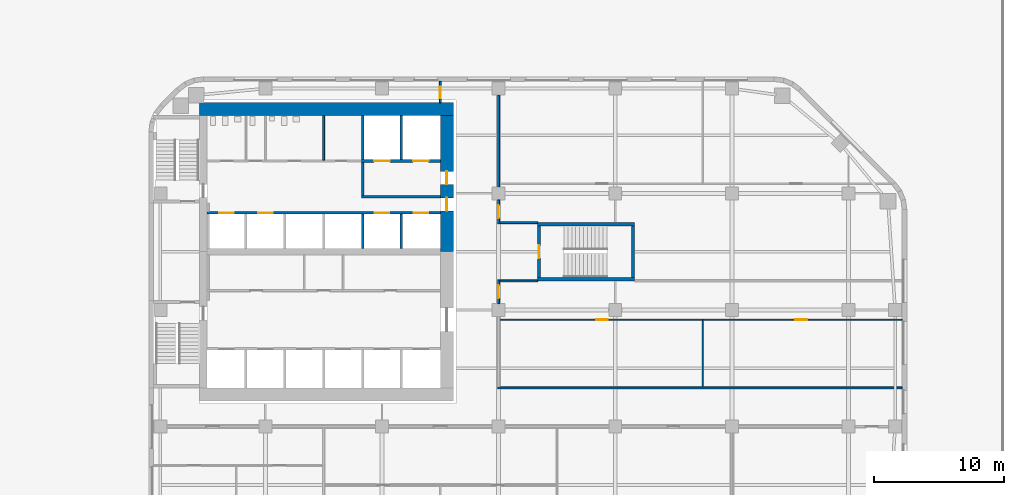
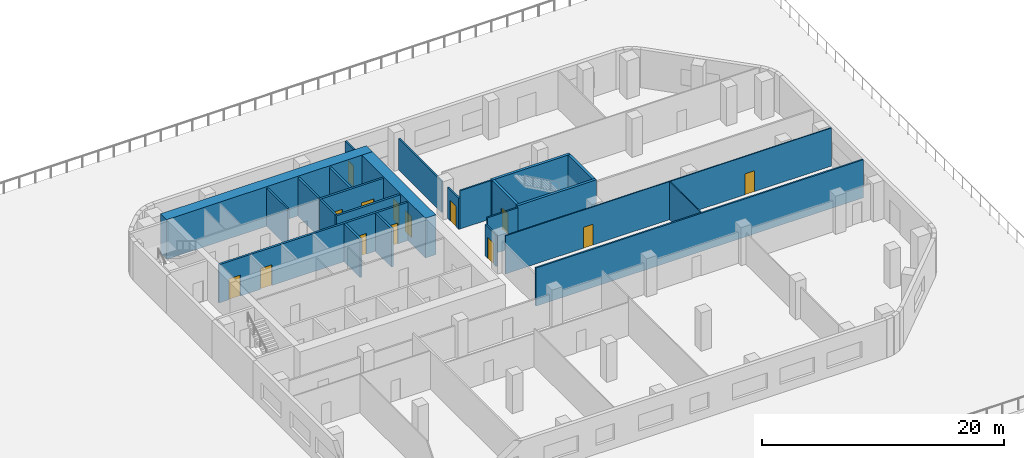
# One storey, part 11 of 18: 24 walls, 14 doors, 14 openings.
"""IFC4 building model written with IfcOpenShell, lengths in metres."""

from ifc_helpers import new_model, si_unit, direction, frame, frame_2d, origin, place, context, subcontext, project, spatial, rectangle, extrude, material, layer, layer_set, type_object, element, fill, save


model = new_model("IFC4")

# Units and contexts
model_context = context("Model", 3, precision=1e-05, world=origin(), true_north=direction((0.0, 1.0)))
body_context = subcontext(model_context, "Body", "Model", "MODEL_VIEW")
ifc_project = project(units=[si_unit("LENGTHUNIT", "METRE"), si_unit("AREAUNIT", "SQUARE_METRE"), si_unit("VOLUMEUNIT", "CUBIC_METRE"), si_unit("PLANEANGLEUNIT", "RADIAN"), si_unit("MASSUNIT", "GRAM", prefix="KILO")], contexts=[model_context])

# Site, building, storey
site_placement = place(None, origin())
site = spatial("IfcSite", under=ifc_project, at=site_placement, CompositionType="ELEMENT")
building_placement = place(site_placement, origin())
building = spatial("IfcBuilding", under=site, at=building_placement, Name="Cinnabar Reach Civic Tower", CompositionType="ELEMENT")
storey_placement = place(building_placement, frame((0.0, 0.0, 26.0)))
storey = spatial("IfcBuildingStorey", under=building, at=storey_placement, Name="L05", CompositionType="ELEMENT", Elevation=26.0)

# Wall
ifc_material_1 = material(Name="Concrete C70", Category="concrete")
ifc_layer_1 = layer(ifc_material_1, 1.0)
ifc_layer_set_1 = layer_set([ifc_layer_1], Name="Core wall 1000 EI 180")
wall_type_1 = type_object("IfcWallType", Name="Core wall 1000 EI 180", PredefinedType="SOLIDWALL", material=ifc_layer_set_1)
wall_1_placement = place(storey_placement, frame((23.5, 42.5, 0.0), z_axis=(0.0, 0.0, 1.0), x_axis=(-1.0, 0.0, 0.0)))
element("IfcWall", 1, at=wall_1_placement, inside=storey, type_object=wall_type_1, Name="Core wall T1 L05 N", PredefinedType="SOLIDWALL", context=body_context, shape_type="SweptSolid", body=[
    extrude(rectangle(XDim=19.6, YDim=1.0, at=frame_2d((9.8, 0.0))), origin(), (0.0, 0.0, 1.0), 4.0),
])

# Wall, openings, doors
wall_2_placement = place(storey_placement, frame((23.0, 31.5, 0.0), z_axis=(0.0, 0.0, 1.0), x_axis=(0.0, 1.0, 0.0)))
wall_2 = element("IfcWall", 2, at=wall_2_placement, inside=storey, type_object=wall_type_1, Name="Core wall T1 L05 E2", PredefinedType="SOLIDWALL", context=body_context, shape_type="SweptSolid", body=[
    extrude(rectangle(XDim=10.5, YDim=1.0, at=frame_2d((5.25, 0.0))), origin(), (0.0, 0.0, 1.0), 4.0),
])
opening_1_placement = place(wall_2_placement, frame((3.15, 0.0, 0.0)))
opening_1 = element("IfcOpeningElement", 3, at=opening_1_placement, cuts=wall_2, Name="Opening D3207", PredefinedType="OPENING", context=body_context, shape_type="SweptSolid", body=[
    extrude(rectangle(XDim=1.0, YDim=2.1, at=frame_2d((0.5, 1.05))), frame((0.0, 0.51, 0.0), z_axis=(0.0, -1.0, 0.0), x_axis=(1.0, 0.0, 0.0)), (0.0, 0.0, 1.0), 1.02),
])
opening_2_placement = place(wall_2_placement, frame((5.2, 0.0, 0.0)))
opening_2 = element("IfcOpeningElement", 4, at=opening_2_placement, cuts=wall_2, Name="Opening D3208", PredefinedType="OPENING", context=body_context, shape_type="SweptSolid", body=[
    extrude(rectangle(XDim=1.0, YDim=2.1, at=frame_2d((0.5, 1.05))), frame((0.0, 0.51, 0.0), z_axis=(0.0, -1.0, 0.0), x_axis=(1.0, 0.0, 0.0)), (0.0, 0.0, 1.0), 1.02),
])
ifc_material_2 = material(Name="Timber door leaf in steel frame", Category="steel")
door_type_1 = type_object("IfcDoorType", Name="Firefighting lobby door 1000 x 2100 T1", OperationType="SINGLE_SWING_LEFT", PredefinedType="DOOR", material=ifc_material_2)
door_1_placement = place(opening_2_placement, origin())
door_1 = element("IfcDoor", 5, at=door_1_placement, inside=storey, type_object=door_type_1, Name="Door D3208", OperationType="SINGLE_SWING_LEFT", OverallHeight=2.1, OverallWidth=1.0, PredefinedType="DOOR", context=body_context, shape_type="SweptSolid", body=[
    extrude(rectangle(XDim=1.0, YDim=2.1, at=frame_2d((0.5, 1.05))), frame((0.0, 0.025, 0.0), z_axis=(0.0, -1.0, 0.0), x_axis=(1.0, 0.0, 0.0)), (0.0, 0.0, 1.0), 0.05),
])
fill(opening_2, door_1)
door_type_2 = type_object("IfcDoorType", Name="Single swing door 1000 x 2100 T1", OperationType="SINGLE_SWING_LEFT", PredefinedType="DOOR", material=ifc_material_2)
door_2_placement = place(opening_1_placement, origin())
door_2 = element("IfcDoor", 6, at=door_2_placement, inside=storey, type_object=door_type_2, Name="Door D3207", OperationType="SINGLE_SWING_RIGHT", OverallHeight=2.1, OverallWidth=1.0, PredefinedType="DOOR", context=body_context, shape_type="SweptSolid", body=[
    extrude(rectangle(XDim=1.0, YDim=2.1, at=frame_2d((0.5, 1.05))), frame((0.0, 0.025, 0.0), z_axis=(0.0, -1.0, 0.0), x_axis=(1.0, 0.0, 0.0)), (0.0, 0.0, 1.0), 0.05),
])
fill(opening_1, door_2)

# Wall
ifc_material_3 = material(Name="Gypsum board on steel studs, double layer", Category="steel")
ifc_layer_2 = layer(ifc_material_3, 0.15)
ifc_layer_set_2 = layer_set([ifc_layer_2], Name="Corridor wall 150 T1")
wall_type_2 = type_object("IfcWallType", Name="Corridor wall 150 T1", PredefinedType="PARTITIONING", material=ifc_layer_set_2)
wall_3_placement = place(storey_placement, frame((26.925, 21.0, 0.0), z_axis=(0.0, 0.0, 1.0), x_axis=(1.0, 0.0, 0.0)))
element("IfcWall", 7, at=wall_3_placement, inside=storey, type_object=wall_type_2, Name="Corridor wall 26", PredefinedType="PARTITIONING", context=body_context, shape_type="SweptSolid", body=[
    extrude(rectangle(XDim=31.215, YDim=0.15, at=frame_2d((15.6075, 0.0))), origin(), (0.0, 0.0, 1.0), 3.85),
])

# Wall, opening, door
wall_4_placement = place(storey_placement, frame((27.0, 33.675, 0.0), z_axis=(0.0, 0.0, 1.0), x_axis=(0.0, 1.0, 0.0)))
wall_4 = element("IfcWall", 8, at=wall_4_placement, inside=storey, type_object=wall_type_2, Name="Corridor wall 29", PredefinedType="PARTITIONING", context=body_context, shape_type="SweptSolid", body=[
    extrude(rectangle(XDim=1.825, YDim=0.15, at=frame_2d((0.9125, 0.0))), origin(), (0.0, 0.0, 1.0), 3.158),
])
opening_3_placement = place(wall_4_placement, frame((0.4, 0.0, 0.0)))
opening_3 = element("IfcOpeningElement", 9, at=opening_3_placement, cuts=wall_4, Name="Opening D3217", PredefinedType="OPENING", context=body_context, shape_type="SweptSolid", body=[
    extrude(rectangle(XDim=1.0, YDim=2.1, at=frame_2d((0.5, 1.05))), frame((0.0, 0.085, 0.0), z_axis=(0.0, -1.0, 0.0), x_axis=(1.0, 0.0, 0.0)), (0.0, 0.0, 1.0), 0.17),
])
door_type_3 = type_object("IfcDoorType", Name="Tenancy entrance door 1000 x 2100 T1", OperationType="SINGLE_SWING_LEFT", PredefinedType="DOOR", material=ifc_material_2)
door_3_placement = place(opening_3_placement, frame((1.0, 0.0, 0.0), z_axis=(0.0, 0.0, 1.0), x_axis=(-1.0, 0.0, 0.0)))
door_3 = element("IfcDoor", 10, at=door_3_placement, inside=storey, type_object=door_type_3, Name="Door D3217", OperationType="SINGLE_SWING_RIGHT", OverallHeight=2.1, OverallWidth=1.0, PredefinedType="DOOR", context=body_context, shape_type="SweptSolid", body=[
    extrude(rectangle(XDim=1.0, YDim=2.1, at=frame_2d((0.5, 1.05))), frame((0.0, 0.025, 0.0), z_axis=(0.0, -1.0, 0.0), x_axis=(1.0, 0.0, 0.0)), (0.0, 0.0, 1.0), 0.05),
])
fill(opening_3, door_3)

# Wall
wall_5_placement = place(storey_placement, frame((27.0, 36.5, 0.0), z_axis=(0.0, 0.0, 1.0), x_axis=(0.0, 1.0, 0.0)))
element("IfcWall", 11, at=wall_5_placement, inside=storey, type_object=wall_type_2, Name="Corridor wall 30", PredefinedType="PARTITIONING", context=body_context, shape_type="SweptSolid", body=[
    extrude(rectangle(XDim=7.1, YDim=0.15, at=frame_2d((3.55, 0.0))), origin(), (0.0, 0.0, 1.0), 3.158),
])

# Wall, opening, door
wall_6_placement = place(storey_placement, frame((27.0, 27.5, 0.0), z_axis=(0.0, 0.0, 1.0), x_axis=(0.0, 1.0, 0.0)))
wall_6 = element("IfcWall", 12, at=wall_6_placement, inside=storey, type_object=wall_type_2, Name="Corridor wall 32", PredefinedType="PARTITIONING", context=body_context, shape_type="SweptSolid", body=[
    extrude(rectangle(XDim=1.825, YDim=0.15, at=frame_2d((0.9125, 0.0))), origin(), (0.0, 0.0, 1.0), 3.158),
])
opening_4_placement = place(wall_6_placement, frame((0.4, 0.0, 0.0)))
opening_4 = element("IfcOpeningElement", 13, at=opening_4_placement, cuts=wall_6, Name="Opening D3220", PredefinedType="OPENING", context=body_context, shape_type="SweptSolid", body=[
    extrude(rectangle(XDim=1.0, YDim=2.1, at=frame_2d((0.5, 1.05))), frame((0.0, 0.085, 0.0), z_axis=(0.0, -1.0, 0.0), x_axis=(1.0, 0.0, 0.0)), (0.0, 0.0, 1.0), 0.17),
])
door_4_placement = place(opening_4_placement, frame((1.0, 0.0, 0.0), z_axis=(0.0, 0.0, 1.0), x_axis=(-1.0, 0.0, 0.0)))
door_4 = element("IfcDoor", 14, at=door_4_placement, inside=storey, type_object=door_type_3, Name="Door D3220", OperationType="SINGLE_SWING_LEFT", OverallHeight=2.1, OverallWidth=1.0, PredefinedType="DOOR", context=body_context, shape_type="SweptSolid", body=[
    extrude(rectangle(XDim=1.0, YDim=2.1, at=frame_2d((0.5, 1.05))), frame((0.0, 0.025, 0.0), z_axis=(0.0, -1.0, 0.0), x_axis=(1.0, 0.0, 0.0)), (0.0, 0.0, 1.0), 0.05),
])
fill(opening_4, door_4)

# Walls
for number, where, z_axis, x_axis, name in (
    (15, (27.075, 29.25, 0.0), (0.0, 0.0, 1.0), (1.0, 0.0, 0.0), "Corridor wall 35"),
    (16, (27.075, 33.75, 0.0), (0.0, 0.0, 1.0), (1.0, 0.0, 0.0), "Corridor wall 36"),
):
    element("IfcWall", number, at=place(storey_placement, frame(where, z_axis=z_axis, x_axis=x_axis)), inside=storey, type_object=wall_type_2, Name=name, PredefinedType="PARTITIONING", context=body_context, shape_type="SweptSolid", body=[
        extrude(rectangle(XDim=2.925, YDim=0.15, at=frame_2d((1.4625, 0.0))), origin(), (0.0, 0.0, 1.0), 3.85),
    ])

# Wall, opening, door
wall_7_placement = place(storey_placement, frame((22.5, 43.0, 0.0), z_axis=(0.0, 0.0, 1.0), x_axis=(0.0, 1.0, 0.0)))
wall_7 = element("IfcWall", 17, at=wall_7_placement, inside=storey, type_object=wall_type_2, Name="Corridor wall 37", PredefinedType="PARTITIONING", context=body_context, shape_type="SweptSolid", body=[
    extrude(rectangle(XDim=1.64, YDim=0.15, at=frame_2d((0.82, 0.0))), origin(), (0.0, 0.0, 1.0), 3.85),
])
opening_5_placement = place(wall_7_placement, frame((0.35, 0.0, 0.0)))
opening_5 = element("IfcOpeningElement", 18, at=opening_5_placement, cuts=wall_7, Name="Opening D5770", PredefinedType="OPENING", context=body_context, shape_type="SweptSolid", body=[
    extrude(rectangle(XDim=0.9, YDim=2.1, at=frame_2d((0.45, 1.05))), frame((0.0, 0.085, 0.0), z_axis=(0.0, -1.0, 0.0), x_axis=(1.0, 0.0, 0.0)), (0.0, 0.0, 1.0), 0.17),
])
door_type_4 = type_object("IfcDoorType", Name="Single swing door 900 x 2100 corridor T1", OperationType="SINGLE_SWING_LEFT", PredefinedType="DOOR", material=ifc_material_2)
door_5_placement = place(opening_5_placement, origin())
door_5 = element("IfcDoor", 19, at=door_5_placement, inside=storey, type_object=door_type_4, Name="Door D5770", OperationType="SINGLE_SWING_LEFT", OverallHeight=2.1, OverallWidth=0.9, PredefinedType="DOOR", context=body_context, shape_type="SweptSolid", body=[
    extrude(rectangle(XDim=0.9, YDim=2.1, at=frame_2d((0.45, 1.05))), frame((0.0, 0.025, 0.0), z_axis=(0.0, -1.0, 0.0), x_axis=(1.0, 0.0, 0.0)), (0.0, 0.0, 1.0), 0.05),
])
fill(opening_5, door_5)

# Wall, openings, doors
ifc_material_4 = material(Name="Blockwork", Category="masonry")
ifc_layer_3 = layer(ifc_material_4, 0.2)
ifc_layer_set_3 = layer_set([ifc_layer_3], Name="Lift shaft wall 200 T1")
wall_type_3 = type_object("IfcWallType", Name="Lift shaft wall 200 T1", PredefinedType="PARTITIONING", material=ifc_layer_set_3)
wall_8_placement = place(storey_placement, frame((4.5, 34.5, 0.0), z_axis=(0.0, 0.0, 1.0), x_axis=(1.0, 0.0, 0.0)))
wall_8 = element("IfcWall", 20, at=wall_8_placement, inside=storey, type_object=wall_type_3, Name="Lift shaft wall 5", PredefinedType="PARTITIONING", context=body_context, shape_type="SweptSolid", body=[
    extrude(rectangle(XDim=18.0, YDim=0.2, at=frame_2d((9.0, 0.0))), origin(), (0.0, 0.0, 1.0), 3.85),
])
opening_6_placement = place(wall_8_placement, frame((0.95, 0.0, 0.0)))
opening_6 = element("IfcOpeningElement", 21, at=opening_6_placement, cuts=wall_8, Name="Opening D3200", PredefinedType="OPENING", context=body_context, shape_type="SweptSolid", body=[
    extrude(rectangle(XDim=1.1, YDim=2.1, at=frame_2d((0.55, 1.05))), frame((0.0, 0.11, 0.0), z_axis=(0.0, -1.0, 0.0), x_axis=(1.0, 0.0, 0.0)), (0.0, 0.0, 1.0), 0.22),
])
opening_7_placement = place(wall_8_placement, frame((3.95, 0.0, 0.0)))
opening_7 = element("IfcOpeningElement", 22, at=opening_7_placement, cuts=wall_8, Name="Opening D3201", PredefinedType="OPENING", context=body_context, shape_type="SweptSolid", body=[
    extrude(rectangle(XDim=1.1, YDim=2.1, at=frame_2d((0.55, 1.05))), frame((0.0, 0.11, 0.0), z_axis=(0.0, -1.0, 0.0), x_axis=(1.0, 0.0, 0.0)), (0.0, 0.0, 1.0), 0.22),
])
opening_8_placement = place(wall_8_placement, frame((12.95, 0.0, 0.0)))
opening_8 = element("IfcOpeningElement", 23, at=opening_8_placement, cuts=wall_8, Name="Opening D3202", PredefinedType="OPENING", context=body_context, shape_type="SweptSolid", body=[
    extrude(rectangle(XDim=1.1, YDim=2.1, at=frame_2d((0.55, 1.05))), frame((0.0, 0.11, 0.0), z_axis=(0.0, -1.0, 0.0), x_axis=(1.0, 0.0, 0.0)), (0.0, 0.0, 1.0), 0.22),
])
opening_9_placement = place(wall_8_placement, frame((15.95, 0.0, 0.0)))
opening_9 = element("IfcOpeningElement", 24, at=opening_9_placement, cuts=wall_8, Name="Opening D3203", PredefinedType="OPENING", context=body_context, shape_type="SweptSolid", body=[
    extrude(rectangle(XDim=1.1, YDim=2.1, at=frame_2d((0.55, 1.05))), frame((0.0, 0.11, 0.0), z_axis=(0.0, -1.0, 0.0), x_axis=(1.0, 0.0, 0.0)), (0.0, 0.0, 1.0), 0.22),
])
ifc_material_5 = material(Name="Stainless steel sliding door", Category="steel")
door_type_5 = type_object("IfcDoorType", Name="Lift landing door 1100 x 2100 T1", OperationType="SLIDING_TO_LEFT", PredefinedType="DOOR", material=ifc_material_5)
door_6_placement = place(opening_6_placement, origin())
door_6 = element("IfcDoor", 25, at=door_6_placement, inside=storey, type_object=door_type_5, Name="Lift landing door SH1 L05", OperationType="SLIDING_TO_LEFT", OverallHeight=2.1, OverallWidth=1.1, PredefinedType="DOOR", context=body_context, shape_type="SweptSolid", body=[
    extrude(rectangle(XDim=1.1, YDim=2.1, at=frame_2d((0.55, 1.05))), frame((0.0, 0.025, 0.0), z_axis=(0.0, -1.0, 0.0), x_axis=(1.0, 0.0, 0.0)), (0.0, 0.0, 1.0), 0.05),
])
fill(opening_6, door_6)
door_7_placement = place(opening_7_placement, origin())
door_7 = element("IfcDoor", 26, at=door_7_placement, inside=storey, type_object=door_type_5, Name="Lift landing door SH2 L05", OperationType="SLIDING_TO_LEFT", OverallHeight=2.1, OverallWidth=1.1, PredefinedType="DOOR", context=body_context, shape_type="SweptSolid", body=[
    extrude(rectangle(XDim=1.1, YDim=2.1, at=frame_2d((0.55, 1.05))), frame((0.0, 0.025, 0.0), z_axis=(0.0, -1.0, 0.0), x_axis=(1.0, 0.0, 0.0)), (0.0, 0.0, 1.0), 0.05),
])
fill(opening_7, door_7)
door_8_placement = place(opening_8_placement, origin())
door_8 = element("IfcDoor", 27, at=door_8_placement, inside=storey, type_object=door_type_5, Name="Lift landing door SV1 L05", OperationType="SLIDING_TO_LEFT", OverallHeight=2.1, OverallWidth=1.1, PredefinedType="DOOR", context=body_context, shape_type="SweptSolid", body=[
    extrude(rectangle(XDim=1.1, YDim=2.1, at=frame_2d((0.55, 1.05))), frame((0.0, 0.025, 0.0), z_axis=(0.0, -1.0, 0.0), x_axis=(1.0, 0.0, 0.0)), (0.0, 0.0, 1.0), 0.05),
])
fill(opening_8, door_8)
door_9_placement = place(opening_9_placement, origin())
door_9 = element("IfcDoor", 28, at=door_9_placement, inside=storey, type_object=door_type_5, Name="Lift landing door SV2 L05", OperationType="SLIDING_TO_LEFT", OverallHeight=2.1, OverallWidth=1.1, PredefinedType="DOOR", context=body_context, shape_type="SweptSolid", body=[
    extrude(rectangle(XDim=1.1, YDim=2.1, at=frame_2d((0.55, 1.05))), frame((0.0, 0.025, 0.0), z_axis=(0.0, -1.0, 0.0), x_axis=(1.0, 0.0, 0.0)), (0.0, 0.0, 1.0), 0.05),
])
fill(opening_9, door_9)

# Walls
for number, where, z_axis, x_axis, name in (
    (29, (16.5, 38.6, 0.0), (0.0, 0.0, 1.0), (0.0, 1.0, 0.0), "Lift shaft wall 6"),
    (30, (19.5, 38.6, 0.0), (0.0, 0.0, 1.0), (0.0, 1.0, 0.0), "Lift shaft wall 7"),
):
    element("IfcWall", number, at=place(storey_placement, frame(where, z_axis=z_axis, x_axis=x_axis)), inside=storey, type_object=wall_type_3, Name=name, PredefinedType="PARTITIONING", context=body_context, shape_type="SweptSolid", body=[
        extrude(rectangle(XDim=3.4, YDim=0.2, at=frame_2d((1.7, 0.0))), origin(), (0.0, 0.0, 1.0), 3.85),
    ])
for number, where, z_axis, x_axis, name in (
    (31, (16.5, 31.75, 0.0), (0.0, 0.0, 1.0), (0.0, 1.0, 0.0), "Lift shaft wall 16"),
    (32, (19.5, 31.75, 0.0), (0.0, 0.0, 1.0), (0.0, 1.0, 0.0), "Lift shaft wall 18"),
):
    element("IfcWall", number, at=place(storey_placement, frame(where, z_axis=z_axis, x_axis=x_axis)), inside=storey, type_object=wall_type_3, Name=name, PredefinedType="PARTITIONING", context=body_context, shape_type="SweptSolid", body=[
        extrude(rectangle(XDim=2.65, YDim=0.2, at=frame_2d((1.325, 0.0))), origin(), (0.0, 0.0, 1.0), 3.85),
    ])

# Wall, openings, doors
ifc_material_6 = material(Name="Gypsum board on steel studs", Category="steel")
ifc_layer_4 = layer(ifc_material_6, 0.1)
ifc_layer_set_4 = layer_set([ifc_layer_4], Name="Partition wall 100 T1")
wall_type_4 = type_object("IfcWallType", Name="Partition wall 100 T1", PredefinedType="PARTITIONING", material=ifc_layer_set_4)
wall_9_placement = place(storey_placement, frame((27.075, 26.25, 0.0), z_axis=(0.0, 0.0, 1.0), x_axis=(1.0, 0.0, 0.0)))
wall_9 = element("IfcWall", 33, at=wall_9_placement, inside=storey, type_object=wall_type_4, Name="Partition wall 42", PredefinedType="PARTITIONING", context=body_context, shape_type="SweptSolid", body=[
    extrude(rectangle(XDim=31.065, YDim=0.1, at=frame_2d((15.5325, 0.0))), origin(), (0.0, 0.0, 1.0), 3.85),
])
opening_10_placement = place(wall_9_placement, frame((7.45, 0.0, 0.0)))
opening_10 = element("IfcOpeningElement", 34, at=opening_10_placement, cuts=wall_9, Name="Opening D3221", PredefinedType="OPENING", context=body_context, shape_type="SweptSolid", body=[
    extrude(rectangle(XDim=0.9, YDim=2.1, at=frame_2d((0.45, 1.05))), frame((0.0, 0.06, 0.0), z_axis=(0.0, -1.0, 0.0), x_axis=(1.0, 0.0, 0.0)), (0.0, 0.0, 1.0), 0.12),
])
opening_11_placement = place(wall_9_placement, frame((22.825, 0.0, 0.0)))
opening_11 = element("IfcOpeningElement", 35, at=opening_11_placement, cuts=wall_9, Name="Opening D3222", PredefinedType="OPENING", context=body_context, shape_type="SweptSolid", body=[
    extrude(rectangle(XDim=0.9, YDim=2.1, at=frame_2d((0.45, 1.05))), frame((0.0, 0.06, 0.0), z_axis=(0.0, -1.0, 0.0), x_axis=(1.0, 0.0, 0.0)), (0.0, 0.0, 1.0), 0.12),
])
door_type_6 = type_object("IfcDoorType", Name="Single swing door 900 x 2100 T1", OperationType="SINGLE_SWING_LEFT", PredefinedType="DOOR", material=ifc_material_2)
door_10_placement = place(opening_10_placement, frame((0.9, 0.0, 0.0), z_axis=(0.0, 0.0, 1.0), x_axis=(-1.0, 0.0, 0.0)))
door_10 = element("IfcDoor", 36, at=door_10_placement, inside=storey, type_object=door_type_6, Name="Door D3221", OperationType="SINGLE_SWING_LEFT", OverallHeight=2.1, OverallWidth=0.9, PredefinedType="DOOR", context=body_context, shape_type="SweptSolid", body=[
    extrude(rectangle(XDim=0.9, YDim=2.1, at=frame_2d((0.45, 1.05))), frame((0.0, 0.025, 0.0), z_axis=(0.0, -1.0, 0.0), x_axis=(1.0, 0.0, 0.0)), (0.0, 0.0, 1.0), 0.05),
])
fill(opening_10, door_10)
door_11_placement = place(opening_11_placement, frame((0.9, 0.0, 0.0), z_axis=(0.0, 0.0, 1.0), x_axis=(-1.0, 0.0, 0.0)))
door_11 = element("IfcDoor", 37, at=door_11_placement, inside=storey, type_object=door_type_6, Name="Door D3222", OperationType="SINGLE_SWING_RIGHT", OverallHeight=2.1, OverallWidth=0.9, PredefinedType="DOOR", context=body_context, shape_type="SweptSolid", body=[
    extrude(rectangle(XDim=0.9, YDim=2.1, at=frame_2d((0.45, 1.05))), frame((0.0, 0.025, 0.0), z_axis=(0.0, -1.0, 0.0), x_axis=(1.0, 0.0, 0.0)), (0.0, 0.0, 1.0), 0.05),
])
fill(opening_11, door_11)

# Walls
wall_10_placement = place(storey_placement, frame((42.75, 21.075, 0.0), z_axis=(0.0, 0.0, 1.0), x_axis=(0.0, 1.0, 0.0)))
element("IfcWall", 38, at=wall_10_placement, inside=storey, type_object=wall_type_4, Name="Partition wall 54", PredefinedType="PARTITIONING", context=body_context, shape_type="SweptSolid", body=[
    extrude(rectangle(XDim=5.125, YDim=0.1, at=frame_2d((2.5625, 0.0))), origin(), (0.0, 0.0, 1.0), 3.85),
])
ifc_material_7 = material(Name="Concrete C40", Category="concrete")
ifc_layer_5 = layer(ifc_material_7, 0.2)
ifc_layer_set_5 = layer_set([ifc_layer_5], Name="Refuge compartment wall 200 T1")
wall_type_5 = type_object("IfcWallType", Name="Refuge compartment wall 200 T1", PredefinedType="PARTITIONING", material=ifc_layer_set_5)
wall_11_placement = place(storey_placement, frame((16.4, 35.75, 0.0), z_axis=(0.0, 0.0, 1.0), x_axis=(1.0, 0.0, 0.0)))
element("IfcWall", 39, at=wall_11_placement, inside=storey, type_object=wall_type_5, Name="Refuge compartment wall 1", PredefinedType="PARTITIONING", context=body_context, shape_type="SweptSolid", body=[
    extrude(rectangle(XDim=6.1, YDim=0.2, at=frame_2d((3.05, 0.0))), origin(), (0.0, 0.0, 1.0), 3.85),
])

# Wall, openings, doors
wall_12_placement = place(storey_placement, frame((16.4, 38.5, 0.0), z_axis=(0.0, 0.0, 1.0), x_axis=(1.0, 0.0, 0.0)))
wall_12 = element("IfcWall", 40, at=wall_12_placement, inside=storey, type_object=wall_type_5, Name="Refuge compartment wall 2", PredefinedType="PARTITIONING", context=body_context, shape_type="SweptSolid", body=[
    extrude(rectangle(XDim=6.1, YDim=0.2, at=frame_2d((3.05, 0.0))), origin(), (0.0, 0.0, 1.0), 3.85),
])
opening_12_placement = place(wall_12_placement, frame((1.0, 0.0, 0.0)))
opening_12 = element("IfcOpeningElement", 41, at=opening_12_placement, cuts=wall_12, Name="Opening D3204", PredefinedType="OPENING", context=body_context, shape_type="SweptSolid", body=[
    extrude(rectangle(XDim=1.2, YDim=2.1, at=frame_2d((0.6, 1.05))), frame((0.0, 0.11, 0.0), z_axis=(0.0, -1.0, 0.0), x_axis=(1.0, 0.0, 0.0)), (0.0, 0.0, 1.0), 0.22),
])
opening_13_placement = place(wall_12_placement, frame((4.0, 0.0, 0.0)))
opening_13 = element("IfcOpeningElement", 42, at=opening_13_placement, cuts=wall_12, Name="Opening D3205", PredefinedType="OPENING", context=body_context, shape_type="SweptSolid", body=[
    extrude(rectangle(XDim=1.2, YDim=2.1, at=frame_2d((0.6, 1.05))), frame((0.0, 0.11, 0.0), z_axis=(0.0, -1.0, 0.0), x_axis=(1.0, 0.0, 0.0)), (0.0, 0.0, 1.0), 0.22),
])
door_type_7 = type_object("IfcDoorType", Name="Firefighting lift landing door 1200 x 2100 T1", OperationType="SLIDING_TO_LEFT", PredefinedType="DOOR", material=ifc_material_5)
door_12_placement = place(opening_12_placement, origin())
door_12 = element("IfcDoor", 43, at=door_12_placement, inside=storey, type_object=door_type_7, Name="Lift landing door FF1 L05", OperationType="SLIDING_TO_LEFT", OverallHeight=2.1, OverallWidth=1.2, PredefinedType="DOOR", context=body_context, shape_type="SweptSolid", body=[
    extrude(rectangle(XDim=1.2, YDim=2.1, at=frame_2d((0.6, 1.05))), frame((0.0, 0.025, 0.0), z_axis=(0.0, -1.0, 0.0), x_axis=(1.0, 0.0, 0.0)), (0.0, 0.0, 1.0), 0.05),
])
fill(opening_12, door_12)
door_13_placement = place(opening_13_placement, origin())
door_13 = element("IfcDoor", 44, at=door_13_placement, inside=storey, type_object=door_type_7, Name="Lift landing door FF2 L05", OperationType="SLIDING_TO_LEFT", OverallHeight=2.1, OverallWidth=1.2, PredefinedType="DOOR", context=body_context, shape_type="SweptSolid", body=[
    extrude(rectangle(XDim=1.2, YDim=2.1, at=frame_2d((0.6, 1.05))), frame((0.0, 0.025, 0.0), z_axis=(0.0, -1.0, 0.0), x_axis=(1.0, 0.0, 0.0)), (0.0, 0.0, 1.0), 0.05),
])
fill(opening_13, door_13)

# Walls
wall_13_placement = place(storey_placement, frame((16.5, 35.85, 0.0), z_axis=(0.0, 0.0, 1.0), x_axis=(0.0, 1.0, 0.0)))
element("IfcWall", 45, at=wall_13_placement, inside=storey, type_object=wall_type_5, Name="Refuge compartment wall 3", PredefinedType="PARTITIONING", context=body_context, shape_type="SweptSolid", body=[
    extrude(rectangle(XDim=2.55, YDim=0.2, at=frame_2d((1.275, 0.0))), origin(), (0.0, 0.0, 1.0), 3.85),
])
ifc_layer_6 = layer(ifc_material_4, 0.15)
ifc_layer_set_6 = layer_set([ifc_layer_6], Name="Riser wall 150 T1")
wall_type_6 = type_object("IfcWallType", Name="Riser wall 150 T1", PredefinedType="PARTITIONING", material=ifc_layer_set_6)
wall_14_placement = place(storey_placement, frame((13.5, 38.575, 0.0), z_axis=(0.0, 0.0, 1.0), x_axis=(0.0, 1.0, 0.0)))
element("IfcWall", 46, at=wall_14_placement, inside=storey, type_object=wall_type_6, Name="Riser wall 39", PredefinedType="PARTITIONING", context=body_context, shape_type="SweptSolid", body=[
    extrude(rectangle(XDim=3.425, YDim=0.15, at=frame_2d((1.7125, 0.0))), origin(), (0.0, 0.0, 1.0), 3.85),
])
ifc_material_8 = material(Name="Concrete C60", Category="concrete")
ifc_layer_7 = layer(ifc_material_8, 0.25)
ifc_layer_set_7 = layer_set([ifc_layer_7], Name="Stair shaft wall 250 EI 120")
wall_type_7 = type_object("IfcWallType", Name="Stair shaft wall 250 EI 120", PredefinedType="SOLIDWALL", material=ifc_layer_set_7)
for number, where, z_axis, x_axis, name in (
    (47, (30.0, 29.375, 0.0), (0.0, 0.0, 1.0), (1.0, 0.0, 0.0), "Stair shaft wall T1-S3 L05"),
    (48, (37.5, 33.625, 0.0), (0.0, 0.0, 1.0), (-1.0, 0.0, 0.0), "Stair shaft wall T1-S3 L05"),
):
    element("IfcWall", number, at=place(storey_placement, frame(where, z_axis=z_axis, x_axis=x_axis)), inside=storey, type_object=wall_type_7, Name=name, PredefinedType="SOLIDWALL", context=body_context, shape_type="SweptSolid", body=[
        extrude(rectangle(XDim=7.5, YDim=0.25, at=frame_2d((3.75, 0.0))), origin(), (0.0, 0.0, 1.0), 4.0),
    ])
wall_15_placement = place(storey_placement, frame((37.375, 29.5, 0.0), z_axis=(0.0, 0.0, 1.0), x_axis=(0.0, 1.0, 0.0)))
element("IfcWall", 49, at=wall_15_placement, inside=storey, type_object=wall_type_7, Name="Stair shaft wall T1-S3 L05", PredefinedType="SOLIDWALL", context=body_context, shape_type="SweptSolid", body=[
    extrude(rectangle(XDim=4.0, YDim=0.25, at=frame_2d((2.0, 0.0))), origin(), (0.0, 0.0, 1.0), 4.0),
])

# Wall, opening, door
wall_16_placement = place(storey_placement, frame((30.125, 33.5, 0.0), z_axis=(0.0, 0.0, 1.0), x_axis=(0.0, -1.0, 0.0)))
wall_16 = element("IfcWall", 50, at=wall_16_placement, inside=storey, type_object=wall_type_7, Name="Stair shaft wall T1-S3 L05", PredefinedType="SOLIDWALL", context=body_context, shape_type="SweptSolid", body=[
    extrude(rectangle(XDim=4.0, YDim=0.25, at=frame_2d((2.0, 0.0))), origin(), (0.0, 0.0, 1.0), 4.0),
])
opening_14_placement = place(wall_16_placement, frame((1.5, 0.0, 0.0)))
opening_14 = element("IfcOpeningElement", 51, at=opening_14_placement, cuts=wall_16, Name="Opening D3209", PredefinedType="OPENING", context=body_context, shape_type="SweptSolid", body=[
    extrude(rectangle(XDim=1.0, YDim=2.1, at=frame_2d((0.5, 1.05))), frame((0.0, 0.135, 0.0), z_axis=(0.0, -1.0, 0.0), x_axis=(1.0, 0.0, 0.0)), (0.0, 0.0, 1.0), 0.27),
])
door_type_8 = type_object("IfcDoorType", Name="Stair door 1000 x 2100 T1", OperationType="SINGLE_SWING_LEFT", PredefinedType="DOOR", material=ifc_material_2)
door_14_placement = place(opening_14_placement, origin())
door_14 = element("IfcDoor", 52, at=door_14_placement, inside=storey, type_object=door_type_8, Name="Door D3209", OperationType="SINGLE_SWING_LEFT", OverallHeight=2.1, OverallWidth=1.0, PredefinedType="DOOR", context=body_context, shape_type="SweptSolid", body=[
    extrude(rectangle(XDim=1.0, YDim=2.1, at=frame_2d((0.5, 1.05))), frame((0.0, 0.025, 0.0), z_axis=(0.0, -1.0, 0.0), x_axis=(1.0, 0.0, 0.0)), (0.0, 0.0, 1.0), 0.05),
])
fill(opening_14, door_14)

save(model, "model.ifc")
